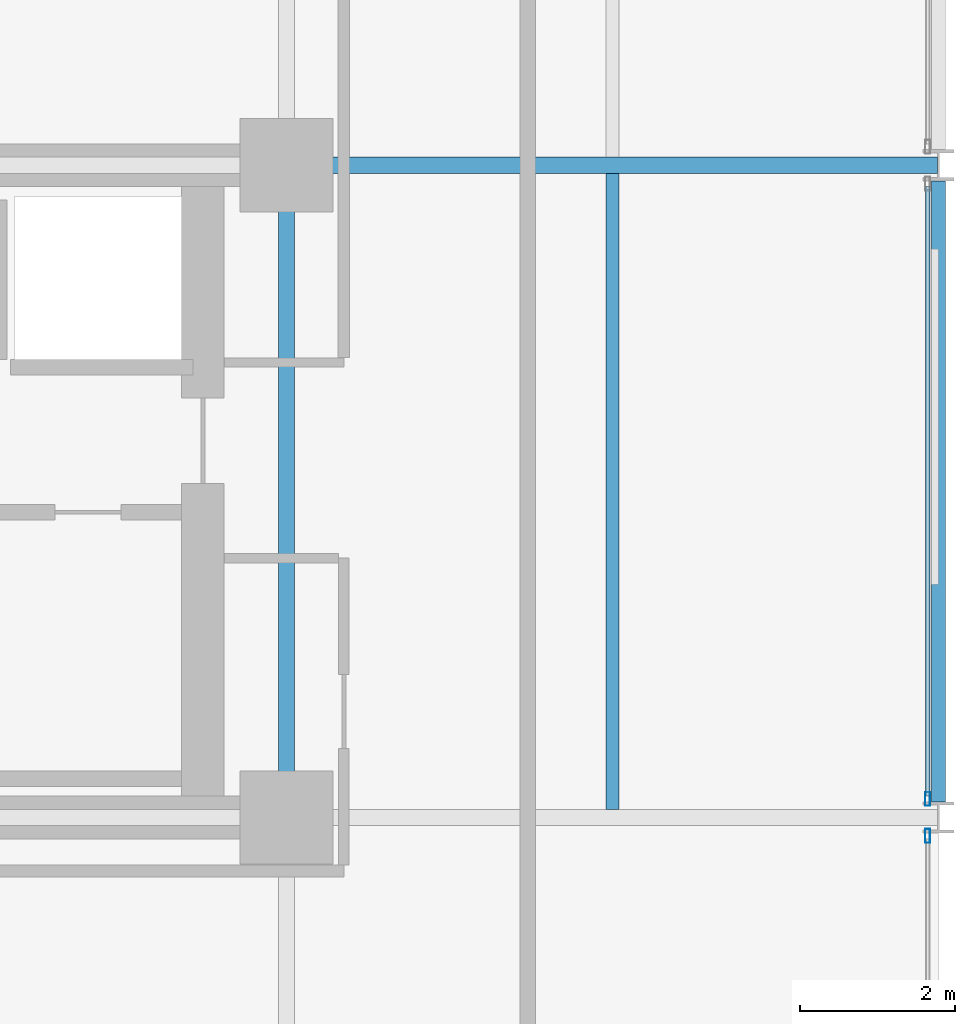
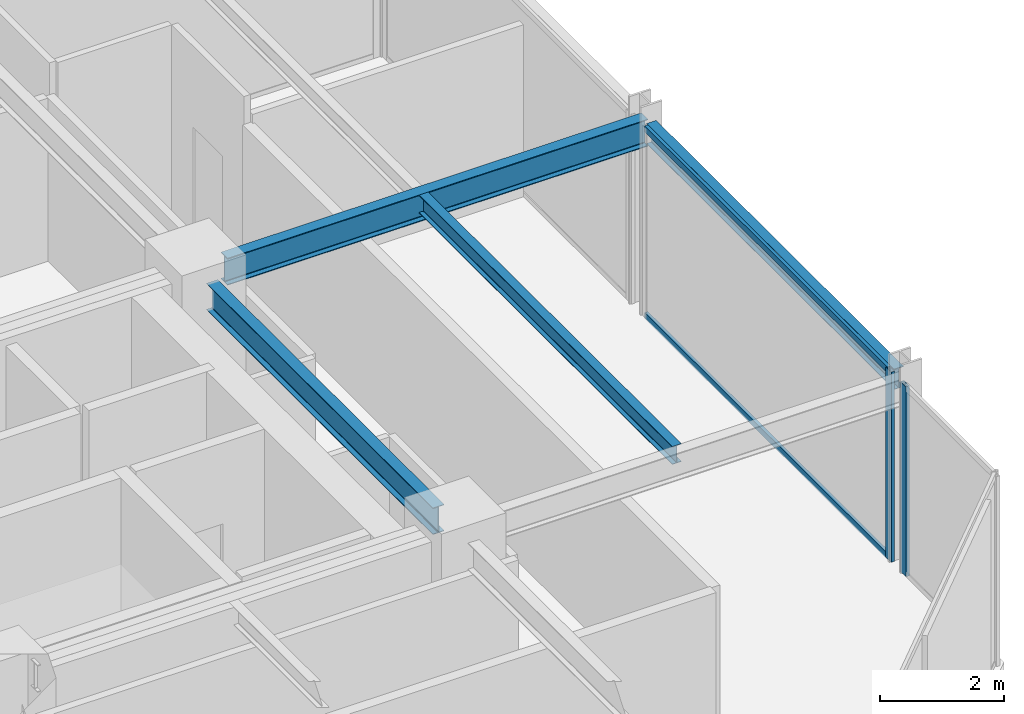
# One storey, part 14 of 29: 4 beams, 4 members, 2 elements without a shape of their own.
"""IFC4 building model written with IfcOpenShell, lengths in metres."""

from ifc_helpers import new_model, si_unit, direction, frame, origin, origin_2d, place, context, subcontext, project, spatial, hollow_rectangle, i_section, extrude, material, layer, layer_set, material_profile, profile_set, type_object, element, aggregate, save


model = new_model("IFC4")

# Units and contexts
model_context = context("Model", 3, precision=1e-05, world=origin(), true_north=direction((0.0, 1.0)))
body_context = subcontext(model_context, "Body", "Model", "MODEL_VIEW")
ifc_project = project(units=[si_unit("LENGTHUNIT", "METRE"), si_unit("AREAUNIT", "SQUARE_METRE"), si_unit("VOLUMEUNIT", "CUBIC_METRE"), si_unit("PLANEANGLEUNIT", "RADIAN"), si_unit("MASSUNIT", "GRAM", prefix="KILO")], contexts=[model_context])

# Site, building, storey
site_placement = place(None, origin())
site = spatial("IfcSite", under=ifc_project, at=site_placement, CompositionType="ELEMENT")
building_placement = place(site_placement, origin())
building = spatial("IfcBuilding", under=site, at=building_placement, Name="Nerrivon Quay Data Exchange", CompositionType="ELEMENT")
storey_placement = place(building_placement, frame((0.0, 0.0, 158.199951171875)))
storey = spatial("IfcBuildingStorey", under=building, at=storey_placement, Name="L37", CompositionType="ELEMENT", Elevation=158.199951171875)

# Beams
ifc_material_1 = material(Name="Steel Grade 350", Category="steel")
ifc_material_profile_1 = material_profile(ifc_material_1, i_section(OverallWidth=0.208984375, OverallDepth=0.532958984375, WebThickness=0.01025390625, FlangeThickness=0.015625, FilletRadius=0.013916015625, at=origin_2d()), Name="530UB92.4")
ifc_profile_set_1 = profile_set([ifc_material_profile_1], Name="Steel Grade 350")
beam_type_1 = type_object("IfcBeamType", Name="BM-G3-530UB92", PredefinedType="BEAM", material=ifc_profile_set_1)
beam_1_placement = place(storey_placement, frame((34.139892578125, 16.800048828125, 3.483642578125), z_axis=(1.0, 0.0, 0.0), x_axis=(0.0, 1.0, 0.0)))
element("IfcBeam", 1, at=beam_1_placement, inside=storey, type_object=beam_type_1, Name="L37 EW Girder Y=16.8 (33.6..42.0)", PredefinedType="BEAM", context=body_context, shape_type="SweptSolid", body=[
    extrude(i_section(OverallWidth=0.208984375, OverallDepth=0.532958984375, WebThickness=0.01025390625, FlangeThickness=0.015625, FilletRadius=0.013916015625, at=origin_2d()), origin(), (0.0, 0.0, 1.0), 7.84765625),
])
ifc_material_profile_2 = material_profile(ifc_material_1, i_section(OverallWidth=0.208984375, OverallDepth=0.528076171875, WebThickness=0.009521484375, FlangeThickness=0.01318359375, FilletRadius=0.013916015625, at=origin_2d()), Name="530UB82.0")
ifc_profile_set_2 = profile_set([ifc_material_profile_2], Name="Steel Grade 350")
beam_type_2 = type_object("IfcBeamType", Name="BM-G4-530UB82", PredefinedType="BEAM", material=ifc_profile_set_2)
beam_2_placement = place(storey_placement, frame((33.60009765625, 8.93994140625, 3.486083984375), z_axis=(0.0, 1.0, 0.0), x_axis=(-1.0, 0.0, 0.0)))
element("IfcBeam", 2, at=beam_2_placement, inside=storey, type_object=beam_type_2, Name="L37 NS Girder X=33.6 (8.4..16.8)", PredefinedType="BEAM", context=body_context, shape_type="SweptSolid", body=[
    extrude(i_section(OverallWidth=0.208984375, OverallDepth=0.528076171875, WebThickness=0.009521484375, FlangeThickness=0.01318359375, FilletRadius=0.013916015625, at=origin_2d()), origin(), (0.0, 0.0, 1.0), 7.320068359375),
])
ifc_material_profile_3 = material_profile(ifc_material_1, i_section(OverallWidth=0.1708984375, OverallDepth=0.35595703125, WebThickness=0.00732421875, FlangeThickness=0.011474609375, FilletRadius=0.011474609375, at=origin_2d()), Name="360UB50.7")
ifc_profile_set_3 = profile_set([ifc_material_profile_3], Name="Steel Grade 350")
beam_type_3 = type_object("IfcBeamType", Name="BM-J4-360UB51", PredefinedType="JOIST", material=ifc_profile_set_3)
beam_3_placement = place(storey_placement, frame((37.800048828125, 8.50439453125, 3.572021484375), z_axis=(0.0, 1.0, 0.0), x_axis=(-1.0, 0.0, 0.0)))
element("IfcBeam", 3, at=beam_3_placement, inside=storey, type_object=beam_type_3, Name="L37 Secondary Joist X=37.8 (8.4..16.8)", PredefinedType="JOIST", context=body_context, shape_type="SweptSolid", body=[
    extrude(i_section(OverallWidth=0.1708984375, OverallDepth=0.35595703125, WebThickness=0.00732421875, FlangeThickness=0.011474609375, FilletRadius=0.011474609375, at=origin_2d()), origin(), (0.0, 0.0, 1.0), 8.191162109375),
])
ifc_material_profile_4 = material_profile(ifc_material_1, i_section(OverallWidth=0.177978515625, OverallDepth=0.403076171875, WebThickness=0.007568359375, FlangeThickness=0.010986328125, FilletRadius=0.011474609375, at=origin_2d()), Name="410UB53.7")
ifc_profile_set_4 = profile_set([ifc_material_profile_4], Name="Steel Grade 350")
beam_type_4 = type_object("IfcBeamType", Name="BM-SP2-410UB54", PredefinedType="SPANDREL", material=ifc_profile_set_4)
beam_4_placement = place(storey_placement, frame((42.0, 8.60009765625, 3.548583984375), z_axis=(0.0, 1.0, 0.0), x_axis=(-1.0, 0.0, 0.0)))
element("IfcBeam", 4, at=beam_4_placement, inside=storey, type_object=beam_type_4, Name="L37 NS Girder X=42.0 (8.4..16.8)", PredefinedType="SPANDREL", context=body_context, shape_type="SweptSolid", body=[
    extrude(i_section(OverallWidth=0.177978515625, OverallDepth=0.403076171875, WebThickness=0.007568359375, FlangeThickness=0.010986328125, FilletRadius=0.011474609375, at=origin_2d()), origin(), (0.0, 0.0, 1.0), 8.0),
])

# Curtain wall, member
ifc_material_2 = material(Name="Anodised aluminium 6063-T6", Category="aluminium")
ifc_layer = layer(ifc_material_2, 0.2099609375)
ifc_layer_set = layer_set([ifc_layer], Name="Anodised aluminium 6063-T6")
curtain_wall_type = type_object("IfcCurtainWallType", Name="CW-SYS-02", PredefinedType="NOTDEFINED", material=ifc_layer_set)
curtain_wall_1_placement = place(storey_placement, origin())
curtain_wall_1 = element("IfcCurtainWall", 5, at=curtain_wall_1_placement, inside=storey, type_object=curtain_wall_type, Name="L37 Unitised Curtain Wall 29", PredefinedType="NOTDEFINED")
ifc_material_profile_5 = material_profile(ifc_material_2, hollow_rectangle(XDim=0.06494140625, YDim=0.179931640625, WallThickness=0.00341796875, at=origin_2d()), Name="ALU-MULL-180x65")
ifc_profile_set_5 = profile_set([ifc_material_profile_5], Name="Anodised aluminium 6063-T6")
member_type_1 = type_object("IfcMemberType", Name="CWM-180x65", PredefinedType="MULLION", material=ifc_profile_set_5)
member_1_placement = place(storey_placement, frame((41.860107421875, 8.637451171875, 0.0), z_axis=(0.0, 0.0, 1.0), x_axis=(1.0, 0.0, 0.0)))
member_1 = element("IfcMember", 6, at=member_1_placement, type_object=member_type_1, Name="CW02 mullion 2", PredefinedType="MULLION", context=body_context, shape_type="SweptSolid", body=[
    extrude(hollow_rectangle(XDim=0.06494140625, YDim=0.179931640625, WallThickness=0.00341796875, at=origin_2d()), origin(), (0.0, 0.0, 1.0), 3.75),
])

curtain_wall_2_placement = place(storey_placement, origin())
curtain_wall_2 = element("IfcCurtainWall", 7, at=curtain_wall_2_placement, inside=storey, type_object=curtain_wall_type, Name="L37 Unitised Curtain Wall 30", PredefinedType="NOTDEFINED")
member_2_placement = place(storey_placement, frame((41.860107421875, 8.16259765625, 0.0), z_axis=(0.0, 0.0, 1.0), x_axis=(1.0, 0.0, 0.0)))
member_2 = element("IfcMember", 8, at=member_2_placement, type_object=member_type_1, Name="CW02 mullion 1", PredefinedType="MULLION", context=body_context, shape_type="SweptSolid", body=[
    extrude(hollow_rectangle(XDim=0.06494140625, YDim=0.179931640625, WallThickness=0.00341796875, at=origin_2d()), origin(), (0.0, 0.0, 1.0), 3.75),
])
aggregate(curtain_wall_2, [member_2])

# Member
ifc_material_profile_6 = material_profile(ifc_material_2, hollow_rectangle(XDim=0.06005859375, YDim=0.1201171875, WallThickness=0.003173828125, at=origin_2d()), Name="ALU-TRAN-120x60")
ifc_profile_set_6 = profile_set([ifc_material_profile_6], Name="Anodised aluminium 6063-T6")
member_type_2 = type_object("IfcMemberType", Name="CWT-120x60", PredefinedType="USERDEFINED", material=ifc_profile_set_6)
member_3_placement = place(storey_placement, frame((41.860107421875, 16.52490234375, 0.032470703125), z_axis=(0.0, -1.0, 0.0), x_axis=(1.0, 0.0, 0.0)))
member_3 = element("IfcMember", 9, at=member_3_placement, type_object=member_type_2, Name="CW02 transom 1.1", ObjectType="TRANSOM", PredefinedType="USERDEFINED", context=body_context, shape_type="SweptSolid", body=[
    extrude(hollow_rectangle(XDim=0.06005859375, YDim=0.1201171875, WallThickness=0.003173828125, at=origin_2d()), origin(), (0.0, 0.0, 1.0), 7.849853515625),
])

member_4_placement = place(storey_placement, frame((41.860107421875, 16.52490234375, 3.717529296875), z_axis=(0.0, -1.0, 0.0), x_axis=(1.0, 0.0, 0.0)))
member_4 = element("IfcMember", 10, at=member_4_placement, type_object=member_type_2, Name="CW02 transom 1.2", ObjectType="TRANSOM", PredefinedType="USERDEFINED", context=body_context, shape_type="SweptSolid", body=[
    extrude(hollow_rectangle(XDim=0.06005859375, YDim=0.1201171875, WallThickness=0.003173828125, at=origin_2d()), origin(), (0.0, 0.0, 1.0), 7.849853515625),
])

aggregate(curtain_wall_1, [member_1, member_3, member_4])

save(model, "model.ifc")
